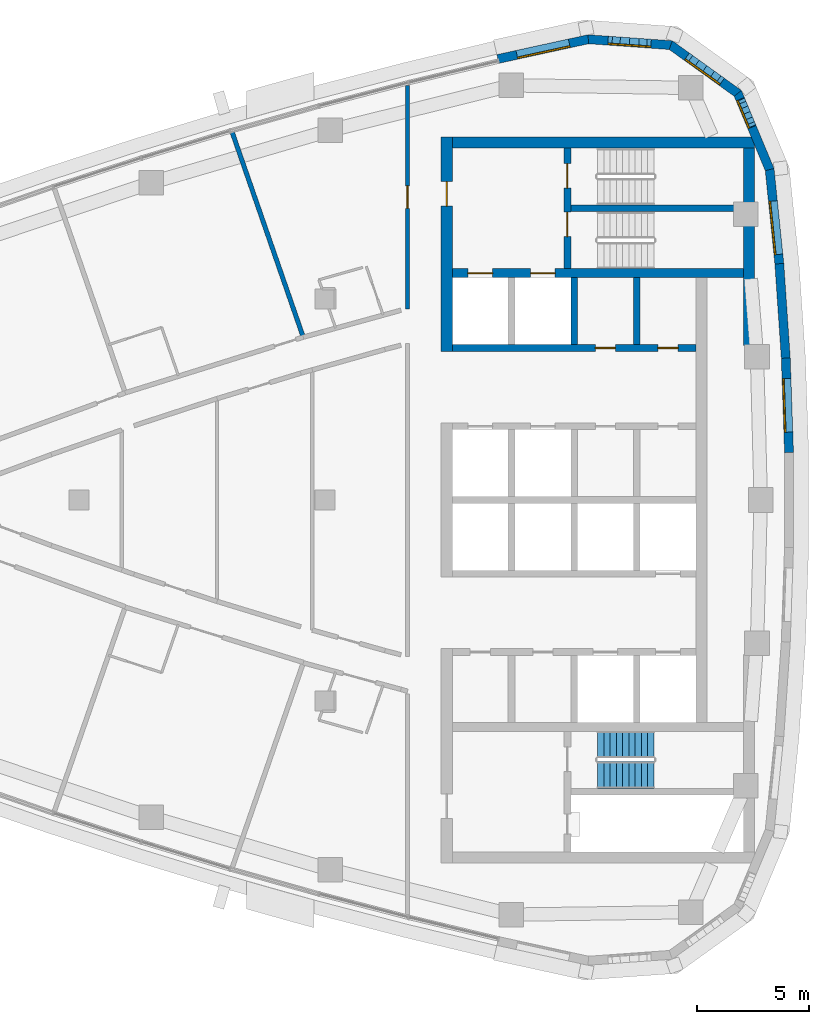
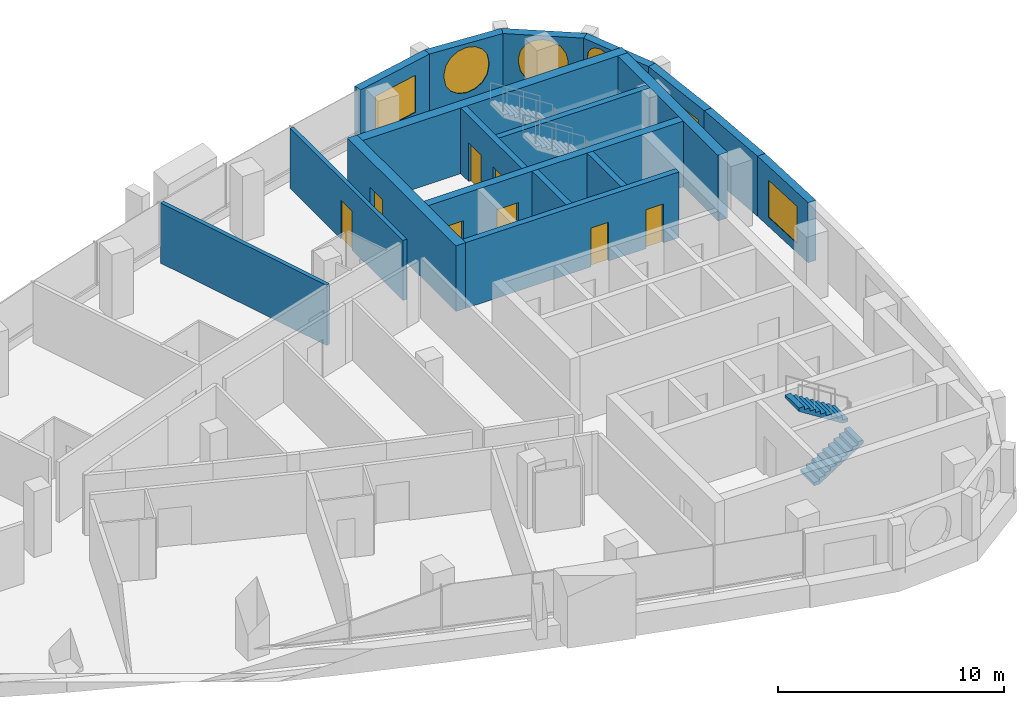
# One storey, part 10 of 15: 18 walls, 8 doors, 6 windows, 2 stair flights, 14 openings, 1 element without a shape of its own.
"""IFC4 building model written with IfcOpenShell, lengths in metres."""

from ifc_helpers import new_model, si_unit, direction, frame, frame_2d, origin, place, context, subcontext, project, spatial, polyline, rectangle, outline, extrude, material, layer, layer_set, type_object, element, fill, aggregate, save


model = new_model("IFC4")

# Units and contexts
model_context = context("Model", 3, precision=1e-05, world=origin(), true_north=direction((0.0, 1.0)))
body_context = subcontext(model_context, "Body", "Model", "MODEL_VIEW")
ifc_project = project(units=[si_unit("LENGTHUNIT", "METRE"), si_unit("AREAUNIT", "SQUARE_METRE"), si_unit("VOLUMEUNIT", "CUBIC_METRE"), si_unit("PLANEANGLEUNIT", "RADIAN"), si_unit("MASSUNIT", "GRAM", prefix="KILO")], contexts=[model_context])

# Site, building, storey
site_placement = place(None, origin())
site = spatial("IfcSite", under=ifc_project, at=site_placement, CompositionType="ELEMENT")
building_placement = place(site_placement, origin())
building = spatial("IfcBuilding", under=site, at=building_placement, Name="Ostrand Prow Hotel Tower", CompositionType="ELEMENT")
storey_placement = place(building_placement, frame((0.0, 0.0, 292.75)))
storey = spatial("IfcBuildingStorey", under=building, at=storey_placement, Name="L74", CompositionType="ELEMENT", Elevation=292.75)

# Wall, openings, doors
ifc_material_1 = material(Name="Concrete C50/60", Category="concrete")
ifc_layer_1 = layer(ifc_material_1, 0.300048828125)
ifc_layer_set_1 = layer_set([ifc_layer_1], Name="Concrete C50/60")
wall_type_1 = type_object("IfcWallType", Name="Core wall 300 C50/60", PredefinedType="SHEAR", material=ifc_layer_set_1)
wall_1_placement = place(storey_placement, frame((50.699951171875, 6.800048828125, 0.0), z_axis=(0.0, 0.0, 1.0), x_axis=(1.0, 0.0, 0.0)))
wall_1 = element("IfcWall", 1, at=wall_1_placement, inside=storey, type_object=wall_type_1, Name="Core wall PW-L2-N", PredefinedType="SHEAR", context=body_context, shape_type="SweptSolid", body=[
    extrude(rectangle(XDim=10.900146484375, YDim=0.300048828125, at=frame_2d((5.4501953125, 0.0))), origin(), (0.0, 0.0, 1.0), 3.550048828125),
])
opening_1_placement = place(wall_1_placement, frame((6.39990234375, 0.0, 0.0)))
opening_1 = element("IfcOpeningElement", 2, at=opening_1_placement, cuts=wall_1, Name="Opening FD2", PredefinedType="OPENING", context=body_context, shape_type="SweptSolid", body=[
    extrude(rectangle(XDim=0.89990234375, YDim=2.10009765625, at=frame_2d((0.449951171875, 1.050048828125))), frame((0.0, 0.159912109375, 0.0), z_axis=(0.0, -1.0, 0.0), x_axis=(1.0, 0.0, 0.0)), (0.0, 0.0, 1.0), 0.320068359375),
])
opening_2_placement = place(wall_1_placement, frame((9.199951171875, 0.0, 0.0)))
opening_2 = element("IfcOpeningElement", 3, at=opening_2_placement, cuts=wall_1, Name="Opening FD2", PredefinedType="OPENING", context=body_context, shape_type="SweptSolid", body=[
    extrude(rectangle(XDim=0.89990234375, YDim=2.10009765625, at=frame_2d((0.449951171875, 1.050048828125))), frame((0.0, 0.159912109375, 0.0), z_axis=(0.0, -1.0, 0.0), x_axis=(1.0, 0.0, 0.0)), (0.0, 0.0, 1.0), 0.320068359375),
])
ifc_material_2 = material(Name="Steel fire door", Category="steel")
door_type_1 = type_object("IfcDoorType", Name="Fire door 900 EI120", OperationType="SINGLE_SWING_LEFT", PredefinedType="DOOR", material=ifc_material_2)
door_1_placement = place(opening_1_placement, origin())
door_1 = element("IfcDoor", 4, at=door_1_placement, inside=storey, type_object=door_type_1, Name="DOOR", OperationType="SINGLE_SWING_LEFT", OverallHeight=2.10009765625, OverallWidth=0.89990234375, PredefinedType="DOOR", context=body_context, shape_type="SweptSolid", body=[
    extrude(rectangle(XDim=0.89990234375, YDim=2.10009765625, at=frame_2d((0.449951171875, 1.050048828125))), frame((0.0, 0.02490234375, 0.0), z_axis=(0.0, -1.0, 0.0), x_axis=(1.0, 0.0, 0.0)), (0.0, 0.0, 1.0), 0.050048828125),
])
fill(opening_1, door_1)
door_2_placement = place(opening_2_placement, origin())
door_2 = element("IfcDoor", 5, at=door_2_placement, inside=storey, type_object=door_type_1, Name="DOOR", OperationType="SINGLE_SWING_LEFT", OverallHeight=2.10009765625, OverallWidth=0.89990234375, PredefinedType="DOOR", context=body_context, shape_type="SweptSolid", body=[
    extrude(rectangle(XDim=0.89990234375, YDim=2.10009765625, at=frame_2d((0.449951171875, 1.050048828125))), frame((0.0, 0.02490234375, 0.0), z_axis=(0.0, -1.0, 0.0), x_axis=(1.0, 0.0, 0.0)), (0.0, 0.0, 1.0), 0.050048828125),
])
fill(opening_2, door_2)

# Walls
for number, where, z_axis, x_axis, name in (
    (6, (56.14990234375, 6.949951171875, 0.0), (0.0, 0.0, 1.0), (0.0, 1.0, 0.0), "Core wall PW-R2-NA"),
    (7, (58.949951171875, 6.949951171875, 0.0), (0.0, 0.0, 1.0), (0.0, 1.0, 0.0), "Core wall PW-R3-NA"),
):
    element("IfcWall", number, at=place(storey_placement, frame(where, z_axis=z_axis, x_axis=x_axis)), inside=storey, type_object=wall_type_1, Name=name, PredefinedType="SHEAR", context=body_context, shape_type="SweptSolid", body=[
        extrude(rectangle(XDim=3.0, YDim=0.300048828125, at=frame_2d((1.5, 0.0))), origin(), (0.0, 0.0, 1.0), 3.550048828125),
    ])

# Wall, openings, doors
wall_2_placement = place(storey_placement, frame((55.85009765625, 10.35009765625, 0.0), z_axis=(0.0, 0.0, 1.0), x_axis=(0.0, 1.0, 0.0)))
wall_2 = element("IfcWall", 8, at=wall_2_placement, inside=storey, type_object=wall_type_1, Name="Core wall PW-VN", PredefinedType="SHEAR", context=body_context, shape_type="SweptSolid", body=[
    extrude(rectangle(XDim=5.39990234375, YDim=0.300048828125, at=frame_2d((2.699951171875, 0.0))), origin(), (0.0, 0.0, 1.0), 3.550048828125),
])
opening_3_placement = place(wall_2_placement, frame((1.429931640625, 0.0, 0.0)))
opening_3 = element("IfcOpeningElement", 9, at=opening_3_placement, cuts=wall_2, Name="Opening FD1", PredefinedType="OPENING", context=body_context, shape_type="SweptSolid", body=[
    extrude(rectangle(XDim=1.10009765625, YDim=2.10009765625, at=frame_2d((0.550048828125, 1.050048828125))), frame((0.0, 0.159912109375, 0.0), z_axis=(0.0, -1.0, 0.0), x_axis=(1.0, 0.0, 0.0)), (0.0, 0.0, 1.0), 0.320068359375),
])
opening_4_placement = place(wall_2_placement, frame((3.60009765625, 0.0, 0.0)))
opening_4 = element("IfcOpeningElement", 10, at=opening_4_placement, cuts=wall_2, Name="Opening FD1", PredefinedType="OPENING", context=body_context, shape_type="SweptSolid", body=[
    extrude(rectangle(XDim=1.10009765625, YDim=2.10009765625, at=frame_2d((0.550048828125, 1.050048828125))), frame((0.0, 0.159912109375, 0.0), z_axis=(0.0, -1.0, 0.0), x_axis=(1.0, 0.0, 0.0)), (0.0, 0.0, 1.0), 0.320068359375),
])
ifc_material_3 = material(Name="Steel fire door", Category="steel")
door_type_2 = type_object("IfcDoorType", Name="Fire door 1100 EI120", OperationType="SINGLE_SWING_RIGHT", PredefinedType="DOOR", material=ifc_material_3)
door_3_placement = place(opening_3_placement, origin())
door_3 = element("IfcDoor", 11, at=door_3_placement, inside=storey, type_object=door_type_2, Name="FIRE DOOR", OperationType="SINGLE_SWING_RIGHT", OverallHeight=2.10009765625, OverallWidth=1.10009765625, PredefinedType="DOOR", context=body_context, shape_type="SweptSolid", body=[
    extrude(rectangle(XDim=1.10009765625, YDim=2.10009765625, at=frame_2d((0.550048828125, 1.050048828125))), frame((0.0, 0.02490234375, 0.0), z_axis=(0.0, -1.0, 0.0), x_axis=(1.0, 0.0, 0.0)), (0.0, 0.0, 1.0), 0.050048828125),
])
fill(opening_3, door_3)
door_4_placement = place(opening_4_placement, origin())
door_4 = element("IfcDoor", 12, at=door_4_placement, inside=storey, type_object=door_type_2, Name="FIRE DOOR", OperationType="SINGLE_SWING_RIGHT", OverallHeight=2.10009765625, OverallWidth=1.10009765625, PredefinedType="DOOR", context=body_context, shape_type="SweptSolid", body=[
    extrude(rectangle(XDim=1.10009765625, YDim=2.10009765625, at=frame_2d((0.550048828125, 1.050048828125))), frame((0.0, 0.02490234375, 0.0), z_axis=(0.0, -1.0, 0.0), x_axis=(1.0, 0.0, 0.0)), (0.0, 0.0, 1.0), 0.050048828125),
])
fill(opening_4, door_4)

# Wall
wall_3_placement = place(storey_placement, frame((56.0, 13.050048828125, 0.0), z_axis=(0.0, 0.0, 1.0), x_axis=(1.0, 0.0, 0.0)))
element("IfcWall", 13, at=wall_3_placement, inside=storey, type_object=wall_type_1, Name="Core wall PW-ST13", PredefinedType="SHEAR", context=body_context, shape_type="SweptSolid", body=[
    extrude(rectangle(XDim=7.719970703125, YDim=0.300048828125, at=frame_2d((3.85986328125, 0.0))), origin(), (0.0, 0.0, 1.0), 3.550048828125),
])

# Wall, openings, doors
ifc_material_4 = material(Name="Concrete C50/60", Category="concrete")
ifc_layer_2 = layer(ifc_material_4, 0.39990234375)
ifc_layer_set_2 = layer_set([ifc_layer_2], Name="Concrete C50/60")
wall_type_2 = type_object("IfcWallType", Name="Core wall 400 C50/60", PredefinedType="SHEAR", material=ifc_layer_set_2)
wall_4_placement = place(storey_placement, frame((50.699951171875, 10.14990234375, 0.0), z_axis=(0.0, 0.0, 1.0), x_axis=(1.0, 0.0, 0.0)))
wall_4 = element("IfcWall", 14, at=wall_4_placement, inside=storey, type_object=wall_type_2, Name="Core wall PW-BN", PredefinedType="SHEAR", context=body_context, shape_type="SweptSolid", body=[
    extrude(rectangle(XDim=13.02001953125, YDim=0.39990234375, at=frame_2d((6.510009765625, 0.0))), origin(), (0.0, 0.0, 1.0), 3.550048828125),
])
opening_5_placement = place(wall_4_placement, frame((0.699951171875, 0.0, 0.0)))
opening_5 = element("IfcOpeningElement", 15, at=opening_5_placement, cuts=wall_4, Name="Opening LD", PredefinedType="OPENING", context=body_context, shape_type="SweptSolid", body=[
    extrude(rectangle(XDim=1.10009765625, YDim=2.10009765625, at=frame_2d((0.550048828125, 1.050048828125))), frame((0.0, 0.2099609375, 0.0), z_axis=(0.0, -1.0, 0.0), x_axis=(1.0, 0.0, 0.0)), (0.0, 0.0, 1.0), 0.419921875),
])
opening_6_placement = place(wall_4_placement, frame((3.5, 0.0, 0.0)))
opening_6 = element("IfcOpeningElement", 16, at=opening_6_placement, cuts=wall_4, Name="Opening LD", PredefinedType="OPENING", context=body_context, shape_type="SweptSolid", body=[
    extrude(rectangle(XDim=1.10009765625, YDim=2.10009765625, at=frame_2d((0.550048828125, 1.050048828125))), frame((0.0, 0.2099609375, 0.0), z_axis=(0.0, -1.0, 0.0), x_axis=(1.0, 0.0, 0.0)), (0.0, 0.0, 1.0), 0.419921875),
])
ifc_material_5 = material(Name="Stainless steel door", Category="steel")
door_type_3 = type_object("IfcDoorType", Name="Lift landing door 1100", OperationType="DOUBLE_DOOR_SLIDING", PredefinedType="DOOR", material=ifc_material_5)
door_5_placement = place(opening_5_placement, origin())
door_5 = element("IfcDoor", 17, at=door_5_placement, inside=storey, type_object=door_type_3, Name="LIFT LANDING DOOR", OperationType="DOUBLE_DOOR_SLIDING", OverallHeight=2.10009765625, OverallWidth=1.10009765625, PredefinedType="DOOR", context=body_context, shape_type="SweptSolid", body=[
    extrude(rectangle(XDim=1.10009765625, YDim=2.10009765625, at=frame_2d((0.550048828125, 1.050048828125))), frame((0.0, 0.02490234375, 0.0), z_axis=(0.0, -1.0, 0.0), x_axis=(1.0, 0.0, 0.0)), (0.0, 0.0, 1.0), 0.050048828125),
])
fill(opening_5, door_5)
door_6_placement = place(opening_6_placement, origin())
door_6 = element("IfcDoor", 18, at=door_6_placement, inside=storey, type_object=door_type_3, Name="LIFT LANDING DOOR", OperationType="DOUBLE_DOOR_SLIDING", OverallHeight=2.10009765625, OverallWidth=1.10009765625, PredefinedType="DOOR", context=body_context, shape_type="SweptSolid", body=[
    extrude(rectangle(XDim=1.10009765625, YDim=2.10009765625, at=frame_2d((0.550048828125, 1.050048828125))), frame((0.0, 0.02490234375, 0.0), z_axis=(0.0, -1.0, 0.0), x_axis=(1.0, 0.0, 0.0)), (0.0, 0.0, 1.0), 0.050048828125),
])
fill(opening_6, door_6)

# Wall, opening, door
ifc_material_6 = material(Name="Concrete C50/60", Category="concrete")
ifc_layer_3 = layer(ifc_material_6, 0.5)
ifc_layer_set_3 = layer_set([ifc_layer_3], Name="Concrete C50/60")
wall_type_3 = type_object("IfcWallType", Name="Core wall 500 C50/60", PredefinedType="SHEAR", material=ifc_layer_set_3)
wall_5_placement = place(storey_placement, frame((50.449951171875, 6.64990234375, 0.0), z_axis=(0.0, 0.0, 1.0), x_axis=(0.0, 1.0, 0.0)))
wall_5 = element("IfcWall", 19, at=wall_5_placement, inside=storey, type_object=wall_type_3, Name="Core wall CW-W-N", PredefinedType="SHEAR", context=body_context, shape_type="SweptSolid", body=[
    extrude(rectangle(XDim=9.60009765625, YDim=0.5, at=frame_2d((4.800048828125, 0.0))), origin(), (0.0, 0.0, 1.0), 3.550048828125),
])
opening_7_placement = place(wall_5_placement, frame((6.5, 0.0, 0.0)))
opening_7 = element("IfcOpeningElement", 20, at=opening_7_placement, cuts=wall_5, Name="Opening FD1", PredefinedType="OPENING", context=body_context, shape_type="SweptSolid", body=[
    extrude(rectangle(XDim=1.10009765625, YDim=2.10009765625, at=frame_2d((0.550048828125, 1.050048828125))), frame((0.0, 0.260009765625, 0.0), z_axis=(0.0, -1.0, 0.0), x_axis=(1.0, 0.0, 0.0)), (0.0, 0.0, 1.0), 0.52001953125),
])
door_7_placement = place(opening_7_placement, origin())
door_7 = element("IfcDoor", 21, at=door_7_placement, inside=storey, type_object=door_type_2, Name="FIRE DOOR", OperationType="SINGLE_SWING_RIGHT", OverallHeight=2.10009765625, OverallWidth=1.10009765625, PredefinedType="DOOR", context=body_context, shape_type="SweptSolid", body=[
    extrude(rectangle(XDim=1.10009765625, YDim=2.10009765625, at=frame_2d((0.550048828125, 1.050048828125))), frame((0.0, 0.02490234375, 0.0), z_axis=(0.0, -1.0, 0.0), x_axis=(1.0, 0.0, 0.0)), (0.0, 0.0, 1.0), 0.050048828125),
])
fill(opening_7, door_7)

# Walls
wall_6_placement = place(storey_placement, frame((50.699951171875, 16.0, 0.0), z_axis=(0.0, 0.0, 1.0), x_axis=(1.0, 0.0, 0.0)))
element("IfcWall", 22, at=wall_6_placement, inside=storey, type_object=wall_type_3, Name="Core wall CW-N", PredefinedType="SHEAR", context=body_context, shape_type="SweptSolid", body=[
    extrude(rectangle(XDim=13.52001953125, YDim=0.5, at=frame_2d((6.760009765625, 0.0))), origin(), (0.0, 0.0, 1.0), 3.550048828125),
])
wall_7_placement = place(storey_placement, frame((63.969970703125, 6.9033203125, 0.0), z_axis=(0.0, 0.0, 1.0), x_axis=(0.0, 1.0, 0.0)))
element("IfcWall", 23, at=wall_7_placement, inside=storey, type_object=wall_type_3, Name="Core wall CW-E-N", PredefinedType="SHEAR", context=body_context, shape_type="SweptSolid", body=[
    extrude(rectangle(XDim=8.8466796875, YDim=0.5, at=frame_2d((4.42333984375, 0.0))), origin(), (0.0, 0.0, 1.0), 3.550048828125),
])

# Wall, opening, door
ifc_material_7 = material(Name="Plasterboard partition")
ifc_layer_4 = layer(ifc_material_7, 0.199951171875)
ifc_layer_set_4 = layer_set([ifc_layer_4], Name="Plasterboard partition")
wall_type_4 = type_object("IfcWallType", Name="Partition 200 corridor wall", PredefinedType="PARTITIONING", material=ifc_layer_set_4)
wall_8_placement = place(storey_placement, frame((48.695068359375, 18.552978515625, 0.0), z_axis=(0.0, 0.0, 1.0), x_axis=(0.0, -1.0, 0.0)))
wall_8 = element("IfcWall", 24, at=wall_8_placement, inside=storey, type_object=wall_type_4, Name="CORRIDOR WALL", PredefinedType="PARTITIONING", context=body_context, shape_type="SweptSolid", body=[
    extrude(rectangle(XDim=9.99658203125, YDim=0.199951171875, at=frame_2d((4.998291015625, 0.0))), origin(), (0.0, 0.0, 1.0), 3.25),
])
opening_8_placement = place(wall_8_placement, frame((4.5, 0.0, 0.0)))
opening_8 = element("IfcOpeningElement", 25, at=opening_8_placement, cuts=wall_8, Name="Opening D1R", PredefinedType="OPENING", context=body_context, shape_type="SweptSolid", body=[
    extrude(rectangle(XDim=1.0, YDim=2.10009765625, at=frame_2d((0.5, 1.050048828125))), frame((0.0, 0.10986328125, 0.0), z_axis=(0.0, -1.0, 0.0), x_axis=(1.0, 0.0, 0.0)), (0.0, 0.0, 1.0), 0.219970703125),
])
ifc_material_8 = material(Name="Timber door leaf", Category="wood")
door_type_4 = type_object("IfcDoorType", Name="Guest room door 1000 right", OperationType="SINGLE_SWING_RIGHT", PredefinedType="DOOR", material=ifc_material_8)
door_8_placement = place(opening_8_placement, origin())
door_8 = element("IfcDoor", 26, at=door_8_placement, inside=storey, type_object=door_type_4, Name="DOOR", OperationType="SINGLE_SWING_RIGHT", OverallHeight=2.10009765625, OverallWidth=1.0, PredefinedType="DOOR", context=body_context, shape_type="SweptSolid", body=[
    extrude(rectangle(XDim=1.0, YDim=2.10009765625, at=frame_2d((0.5, 1.050048828125))), frame((0.0, 0.02490234375, 0.0), z_axis=(0.0, -1.0, 0.0), x_axis=(1.0, 0.0, 0.0)), (0.0, 0.0, 1.0), 0.050048828125),
])
fill(opening_8, door_8)

# Wall
ifc_material_9 = material(Name="Plasterboard partition")
ifc_layer_5 = layer(ifc_material_9, 0.199951171875)
ifc_layer_set_5 = layer_set([ifc_layer_5], Name="Plasterboard partition")
wall_type_5 = type_object("IfcWallType", Name="Partition 200 key partition", PredefinedType="PARTITIONING", material=ifc_layer_set_5)
wall_9_placement = place(storey_placement, frame((44.037841796875, 7.266845703125, 0.0), z_axis=(0.0, 0.0, 1.0), x_axis=(-0.327714576096, 0.944776776077, 0.0)))
element("IfcWall", 27, at=wall_9_placement, inside=storey, type_object=wall_type_5, Name="KEY PARTITION", PredefinedType="PARTITIONING", context=body_context, shape_type="SweptSolid", body=[
    extrude(rectangle(XDim=9.716796875, YDim=0.199951171875, at=frame_2d((4.8583984375, 0.0))), origin(), (0.0, 0.0, 1.0), 3.25),
])

# Wall, opening, window
ifc_material_10 = material(Name="Precast concrete C40/50", Category="concrete")
ifc_layer_6 = layer(ifc_material_10, 0.39990234375)
ifc_layer_set_6 = layer_set([ifc_layer_6], Name="Precast concrete C40/50")
wall_type_6 = type_object("IfcWallType", Name="Stone-faced precast wall 400 mm", PredefinedType="NOTDEFINED", material=ifc_layer_set_6)
wall_10_placement = place(storey_placement, frame((65.764404296875, 2.11669921875, 0.0), z_axis=(0.0, 0.0, 1.0), x_axis=(-0.034082898699, 0.999419009233, 0.0)))
wall_10 = element("IfcWall", 28, at=wall_10_placement, inside=storey, type_object=wall_type_6, Name="Stone-faced wall back 9", PredefinedType="NOTDEFINED", context=body_context, shape_type="SweptSolid", body=[
    extrude(outline(polyline([(-0.00341796875, -0.199951171875), (4.23681640625, -0.199951171875), (4.22998046875, 0.199951171875), (0.00341796875, 0.199951171875), (-0.00341796875, -0.199951171875)])), origin(), (0.0, 0.0, 1.0), 3.25),
])
opening_9_placement = place(wall_10_placement, frame((0.916748046875, 0.0, 0.5)))
opening_9 = element("IfcOpeningElement", 29, at=opening_9_placement, cuts=wall_10, Name="Opening WA1", PredefinedType="OPENING", context=body_context, shape_type="SweptSolid", body=[
    extrude(rectangle(XDim=2.39990234375, YDim=2.0, at=frame_2d((1.199951171875, 1.0))), frame((0.0, 0.2099609375, 0.0), z_axis=(0.0, -1.0, 0.0), x_axis=(1.0, 0.0, 0.0)), (0.0, 0.0, 1.0), 0.419921875),
])
ifc_material_11 = material(Name="Insulated glass in bronze frame", Category="glass")
window_type_1 = type_object("IfcWindowType", Name="Amenity picture window 2400x2000", PartitioningType="SINGLE_PANEL", PredefinedType="WINDOW", material=ifc_material_11)
window_1_placement = place(opening_9_placement, origin())
window_1 = element("IfcWindow", 30, at=window_1_placement, inside=storey, type_object=window_type_1, Name="Window back 9.1", OverallHeight=2.0, OverallWidth=2.39990234375, PartitioningType="SINGLE_PANEL", PredefinedType="WINDOW", context=body_context, shape_type="SweptSolid", body=[
    extrude(rectangle(XDim=2.39990234375, YDim=2.0, at=frame_2d((1.199951171875, 1.0))), frame((0.0, 0.169921875, 0.0), z_axis=(0.0, -1.0, 0.0), x_axis=(1.0, 0.0, 0.0)), (0.0, 0.0, 1.0), 0.06005859375),
])
fill(opening_9, window_1)

# Wall
wall_11_placement = place(storey_placement, frame((65.6201171875, 6.34765625, 0.0), z_axis=(0.0, 0.0, 1.0), x_axis=(-0.068279584479, 0.997666225921, 0.0)))
element("IfcWall", 31, at=wall_11_placement, inside=storey, type_object=wall_type_6, Name="Stone-faced wall back 10", PredefinedType="NOTDEFINED", context=body_context, shape_type="SweptSolid", body=[
    extrude(outline(polyline([(-0.00341796875, -0.199951171875), (4.23681640625, -0.199951171875), (4.22998046875, 0.199951171875), (0.00341796875, 0.199951171875), (-0.00341796875, -0.199951171875)])), origin(), (0.0, 0.0, 1.0), 3.25),
])

# Wall, opening, window
wall_12_placement = place(storey_placement, frame((65.3310546875, 10.5712890625, 0.0), z_axis=(0.0, 0.0, 1.0), x_axis=(-0.102249826987, 0.994758751096, 0.0)))
wall_12 = element("IfcWall", 32, at=wall_12_placement, inside=storey, type_object=wall_type_6, Name="Stone-faced wall back 11", PredefinedType="NOTDEFINED", context=body_context, shape_type="SweptSolid", body=[
    extrude(outline(polyline([(-0.00341796875, -0.199951171875), (4.262939453125, -0.199951171875), (4.203857421875, 0.199951171875), (0.00341796875, 0.199951171875), (-0.00341796875, -0.199951171875)])), origin(), (0.0, 0.0, 1.0), 3.25),
])
opening_10_placement = place(wall_12_placement, frame((0.416748046875, 0.0, 0.5)))
opening_10 = element("IfcOpeningElement", 33, at=opening_10_placement, cuts=wall_12, Name="Opening WA1", PredefinedType="OPENING", context=body_context, shape_type="SweptSolid", body=[
    extrude(rectangle(XDim=2.39990234375, YDim=2.0, at=frame_2d((1.199951171875, 1.0))), frame((0.0, 0.2099609375, 0.0), z_axis=(0.0, -1.0, 0.0), x_axis=(1.0, 0.0, 0.0)), (0.0, 0.0, 1.0), 0.419921875),
])
window_2_placement = place(opening_10_placement, origin())
window_2 = element("IfcWindow", 34, at=window_2_placement, inside=storey, type_object=window_type_1, Name="Window back 11.1", OverallHeight=2.0, OverallWidth=2.39990234375, PartitioningType="SINGLE_PANEL", PredefinedType="WINDOW", context=body_context, shape_type="SweptSolid", body=[
    extrude(rectangle(XDim=2.39990234375, YDim=2.0, at=frame_2d((1.199951171875, 1.0))), frame((0.0, 0.169921875, 0.0), z_axis=(0.0, -1.0, 0.0), x_axis=(1.0, 0.0, 0.0)), (0.0, 0.0, 1.0), 0.06005859375),
])
fill(opening_10, window_2)

wall_13_placement = place(storey_placement, frame((64.898193359375, 14.782470703125, 0.0), z_axis=(0.0, 0.0, 1.0), x_axis=(-0.385285857918, 0.922797273343, 0.0)))
wall_13 = element("IfcWall", 35, at=wall_13_placement, inside=storey, type_object=wall_type_6, Name="Stone-faced wall back 12", PredefinedType="NOTDEFINED", context=body_context, shape_type="SweptSolid", body=[
    extrude(outline(polyline([(-0.029541015625, -0.199951171875), (3.75341796875, -0.199951171875), (3.64013671875, 0.199951171875), (0.029541015625, 0.199951171875), (-0.029541015625, -0.199951171875)])), origin(), (0.0, 0.0, 1.0), 3.25),
])
opening_11_placement = place(wall_13_placement, frame((2.035400390625, 0.0, 0.60009765625)))
opening_11 = element("IfcOpeningElement", 36, at=opening_11_placement, cuts=wall_13, Name="Opening WP2-14", PredefinedType="OPENING", context=body_context, shape_type="SweptSolid", body=[
    extrude(outline(polyline([(0.0, 1.75), (0.05322265625, 2.017822265625), (0.205078125, 2.244873046875), (0.43212890625, 2.396728515625), (0.699951171875, 2.449951171875), (0.9677734375, 2.396728515625), (1.19482421875, 2.244873046875), (1.3466796875, 2.017822265625), (1.39990234375, 1.75), (1.39990234375, 0.699951171875), (1.3466796875, 0.43212890625), (1.19482421875, 0.205078125), (0.9677734375, 0.05322265625), (0.699951171875, 0.0), (0.43212890625, 0.05322265625), (0.205078125, 0.205078125), (0.05322265625, 0.43212890625), (0.0, 0.699951171875), (0.0, 1.75)])), frame((0.0, 0.2099609375, 0.0), z_axis=(0.0, -1.0, 0.0), x_axis=(1.0, 0.0, 0.0)), (0.0, 0.0, 1.0), 0.419921875),
])
ifc_material_12 = material(Name="Insulated glass in bronze frame", Category="glass")
window_type_2 = type_object("IfcWindowType", Name="Round-ended prow lounge window 1400x2450", PartitioningType="SINGLE_PANEL", PredefinedType="WINDOW", material=ifc_material_12)
window_3_placement = place(opening_11_placement, origin())
window_3 = element("IfcWindow", 37, at=window_3_placement, inside=storey, type_object=window_type_2, Name="Window back 12.1", OverallHeight=2.449951171875, OverallWidth=1.39990234375, PartitioningType="SINGLE_PANEL", PredefinedType="WINDOW", context=body_context, shape_type="SweptSolid", body=[
    extrude(outline(polyline([(0.0, 1.75), (0.05322265625, 2.017822265625), (0.205078125, 2.244873046875), (0.43212890625, 2.396728515625), (0.699951171875, 2.449951171875), (0.9677734375, 2.396728515625), (1.19482421875, 2.244873046875), (1.3466796875, 2.017822265625), (1.39990234375, 1.75), (1.39990234375, 0.699951171875), (1.3466796875, 0.43212890625), (1.19482421875, 0.205078125), (0.9677734375, 0.05322265625), (0.699951171875, 0.0), (0.43212890625, 0.05322265625), (0.205078125, 0.205078125), (0.05322265625, 0.43212890625), (0.0, 0.699951171875), (0.0, 1.75)])), frame((0.0, 0.169921875, 0.0), z_axis=(0.0, -1.0, 0.0), x_axis=(1.0, 0.0, 0.0)), (0.0, 0.0, 1.0), 0.06005859375),
])
fill(opening_11, window_3)

wall_14_placement = place(storey_placement, frame((63.473876953125, 18.19384765625, 0.0), z_axis=(0.0, 0.0, 1.0), x_axis=(-0.811962548682, 0.583709533533, 0.0)))
wall_14 = element("IfcWall", 38, at=wall_14_placement, inside=storey, type_object=wall_type_6, Name="Stone-faced wall back 13", PredefinedType="NOTDEFINED", context=body_context, shape_type="SweptSolid", body=[
    extrude(outline(polyline([(-0.056640625, -0.199951171875), (3.753173828125, -0.199951171875), (3.639892578125, 0.199951171875), (0.056640625, 0.199951171875), (-0.056640625, -0.199951171875)])), origin(), (0.0, 0.0, 1.0), 3.25),
])
opening_12_placement = place(wall_14_placement, frame((0.748291015625, 0.0, 0.60009765625)))
opening_12 = element("IfcOpeningElement", 39, at=opening_12_placement, cuts=wall_14, Name="Opening WP2", PredefinedType="OPENING", context=body_context, shape_type="SweptSolid", body=[
    extrude(outline(polyline([(0.0, 1.35009765625), (0.083740234375, 1.77099609375), (0.322265625, 2.127685546875), (0.678955078125, 2.3662109375), (1.10009765625, 2.449951171875), (1.52099609375, 2.3662109375), (1.877685546875, 2.127685546875), (2.1162109375, 1.77099609375), (2.199951171875, 1.35009765625), (2.199951171875, 1.10009765625), (2.1162109375, 0.678955078125), (1.877685546875, 0.322265625), (1.52099609375, 0.083740234375), (1.10009765625, 0.0), (0.678955078125, 0.083740234375), (0.322265625, 0.322265625), (0.083740234375, 0.678955078125), (0.0, 1.099853515625), (0.0, 1.35009765625)])), frame((0.0, 0.2099609375, 0.0), z_axis=(0.0, -1.0, 0.0), x_axis=(1.0, 0.0, 0.0)), (0.0, 0.0, 1.0), 0.419921875),
])
ifc_material_13 = material(Name="Insulated glass in bronze frame", Category="glass")
window_type_3 = type_object("IfcWindowType", Name="Round-ended prow lounge window 2200x2450", PartitioningType="SINGLE_PANEL", PredefinedType="WINDOW", material=ifc_material_13)
window_4_placement = place(opening_12_placement, origin())
window_4 = element("IfcWindow", 40, at=window_4_placement, inside=storey, type_object=window_type_3, Name="Window back 13.1", OverallHeight=2.449951171875, OverallWidth=2.199951171875, PartitioningType="SINGLE_PANEL", PredefinedType="WINDOW", context=body_context, shape_type="SweptSolid", body=[
    extrude(outline(polyline([(0.0, 1.35009765625), (0.083740234375, 1.77099609375), (0.322265625, 2.127685546875), (0.678955078125, 2.3662109375), (1.10009765625, 2.449951171875), (1.52099609375, 2.3662109375), (1.877685546875, 2.127685546875), (2.1162109375, 1.77099609375), (2.199951171875, 1.35009765625), (2.199951171875, 1.10009765625), (2.1162109375, 0.678955078125), (1.877685546875, 0.322265625), (1.52099609375, 0.083740234375), (1.10009765625, 0.0), (0.678955078125, 0.083740234375), (0.322265625, 0.322265625), (0.083740234375, 0.678955078125), (0.0, 1.099853515625), (0.0, 1.35009765625)])), frame((0.0, 0.169921875, 0.0), z_axis=(0.0, -1.0, 0.0), x_axis=(1.0, 0.0, 0.0)), (0.0, 0.0, 1.0), 0.06005859375),
])
fill(opening_12, window_4)

wall_15_placement = place(storey_placement, frame((60.472412109375, 20.3515625, 0.0), z_axis=(0.0, 0.0, 1.0), x_axis=(-0.99746272096, 0.071190731806, 0.0)))
wall_15 = element("IfcWall", 41, at=wall_15_placement, inside=storey, type_object=wall_type_6, Name="Stone-faced wall back 14", PredefinedType="NOTDEFINED", context=body_context, shape_type="SweptSolid", body=[
    extrude(outline(polyline([(-0.056640625, -0.199951171875), (3.7255859375, -0.199951171875), (3.66796875, 0.199951171875), (0.056640625, 0.199951171875), (-0.056640625, -0.199951171875)])), origin(), (0.0, 0.0, 1.0), 3.25),
])
opening_13_placement = place(wall_15_placement, frame((0.748291015625, 0.0, 0.60009765625)))
opening_13 = element("IfcOpeningElement", 42, at=opening_13_placement, cuts=wall_15, Name="Opening WP2", PredefinedType="OPENING", context=body_context, shape_type="SweptSolid", body=[
    extrude(outline(polyline([(0.0, 1.35009765625), (0.083740234375, 1.77099609375), (0.322265625, 2.127685546875), (0.678955078125, 2.3662109375), (1.10009765625, 2.449951171875), (1.52099609375, 2.3662109375), (1.877685546875, 2.127685546875), (2.1162109375, 1.77099609375), (2.199951171875, 1.35009765625), (2.199951171875, 1.10009765625), (2.1162109375, 0.678955078125), (1.877685546875, 0.322265625), (1.52099609375, 0.083740234375), (1.10009765625, 0.0), (0.678955078125, 0.083740234375), (0.322265625, 0.322265625), (0.083740234375, 0.678955078125), (0.0, 1.099853515625), (0.0, 1.35009765625)])), frame((0.0, 0.2099609375, 0.0), z_axis=(0.0, -1.0, 0.0), x_axis=(1.0, 0.0, 0.0)), (0.0, 0.0, 1.0), 0.419921875),
])
window_5_placement = place(opening_13_placement, origin())
window_5 = element("IfcWindow", 43, at=window_5_placement, inside=storey, type_object=window_type_3, Name="Window back 14.1", OverallHeight=2.449951171875, OverallWidth=2.199951171875, PartitioningType="SINGLE_PANEL", PredefinedType="WINDOW", context=body_context, shape_type="SweptSolid", body=[
    extrude(outline(polyline([(0.0, 1.35009765625), (0.083740234375, 1.77099609375), (0.322265625, 2.127685546875), (0.678955078125, 2.3662109375), (1.10009765625, 2.449951171875), (1.52099609375, 2.3662109375), (1.877685546875, 2.127685546875), (2.1162109375, 1.77099609375), (2.199951171875, 1.35009765625), (2.199951171875, 1.10009765625), (2.1162109375, 0.678955078125), (1.877685546875, 0.322265625), (1.52099609375, 0.083740234375), (1.10009765625, 0.0), (0.678955078125, 0.083740234375), (0.322265625, 0.322265625), (0.083740234375, 0.678955078125), (0.0, 1.099853515625), (0.0, 1.35009765625)])), frame((0.0, 0.169921875, 0.0), z_axis=(0.0, -1.0, 0.0), x_axis=(1.0, 0.0, 0.0)), (0.0, 0.0, 1.0), 0.06005859375),
])
fill(opening_13, window_5)

wall_16_placement = place(storey_placement, frame((56.784912109375, 20.61474609375, 0.0), z_axis=(0.0, 0.0, 1.0), x_axis=(-0.977020225348, -0.213146614471, 0.0)))
wall_16 = element("IfcWall", 44, at=wall_16_placement, inside=storey, type_object=wall_type_6, Name="Stone-faced wall back 15", PredefinedType="NOTDEFINED", context=body_context, shape_type="SweptSolid", body=[
    extrude(outline(polyline([(-0.02880859375, -0.199951171875), (4.141845703125, -0.199951171875), (4.141845703125, 0.199951171875), (0.02880859375, 0.199951171875), (-0.02880859375, -0.199951171875)])), origin(), (0.0, 0.0, 1.0), 3.25),
])
opening_14_placement = place(wall_16_placement, frame((0.870849609375, 0.0, 0.5)))
opening_14 = element("IfcOpeningElement", 45, at=opening_14_placement, cuts=wall_16, Name="Opening WA1", PredefinedType="OPENING", context=body_context, shape_type="SweptSolid", body=[
    extrude(rectangle(XDim=2.39990234375, YDim=2.0, at=frame_2d((1.199951171875, 1.0))), frame((0.0, 0.2099609375, 0.0), z_axis=(0.0, -1.0, 0.0), x_axis=(1.0, 0.0, 0.0)), (0.0, 0.0, 1.0), 0.419921875),
])
window_6_placement = place(opening_14_placement, origin())
window_6 = element("IfcWindow", 46, at=window_6_placement, inside=storey, type_object=window_type_1, Name="Window back 15.1", OverallHeight=2.0, OverallWidth=2.39990234375, PartitioningType="SINGLE_PANEL", PredefinedType="WINDOW", context=body_context, shape_type="SweptSolid", body=[
    extrude(rectangle(XDim=2.39990234375, YDim=2.0, at=frame_2d((1.199951171875, 1.0))), frame((0.0, 0.169921875, 0.0), z_axis=(0.0, -1.0, 0.0), x_axis=(1.0, 0.0, 0.0)), (0.0, 0.0, 1.0), 0.06005859375),
])
fill(opening_14, window_6)

# Stair, stair flights
ifc_material_14 = material(Name="Concrete C40/50", Category="concrete")
stair_type = type_object("IfcStairType", Name="Exit stair 1200 upper zone", PredefinedType="HALF_TURN_STAIR", material=ifc_material_14)
stair_placement = place(storey_placement, origin())
stair = element("IfcStair", 47, at=stair_placement, inside=storey, type_object=stair_type, Name="L74 ST2C", PredefinedType="HALF_TURN_STAIR")
ifc_material_15 = material(Name="Concrete C40/50", Category="concrete")
stair_flight_type = type_object("IfcStairFlightType", Name="Stair flight 1200 concrete", PredefinedType="STRAIGHT", material=ifc_material_15)
stair_flight_1_placement = place(storey_placement, frame((57.199951171875, -12.300048828125, 0.0), z_axis=(0.0, 0.0, 1.0), x_axis=(1.0, 0.0, 0.0)))
stair_flight_1 = element("IfcStairFlight", 48, at=stair_flight_1_placement, type_object=stair_flight_type, Name="ST2C flight 1", NumberOfRisers=10, NumberOfTreads=9, PredefinedType="STRAIGHT", RiserHeight=0.1775, TreadLength=0.28, context=body_context, shape_type="SweptSolid", body=[
    extrude(outline(polyline([(0.0, 0.0), (0.0, 0.177490234375), (0.280029296875, 0.177490234375), (0.280029296875, 0.35498046875), (0.56005859375, 0.35498046875), (0.56005859375, 0.532470703125), (0.840087890625, 0.532470703125), (0.840087890625, 0.7099609375), (1.1201171875, 0.7099609375), (1.1201171875, 0.887451171875), (1.39990234375, 0.887451171875), (1.39990234375, 1.06494140625), (1.679931640625, 1.06494140625), (1.679931640625, 1.242431640625), (1.9599609375, 1.242431640625), (1.9599609375, 1.419921875), (2.239990234375, 1.419921875), (2.239990234375, 1.597412109375), (2.52001953125, 1.597412109375), (2.52001953125, 1.77490234375), (2.52001953125, 1.419921875), (0.280029296875, 0.0), (0.0, 0.0)])), frame((0.0, 0.60009765625, 0.0), z_axis=(0.0, -1.0, 0.0), x_axis=(1.0, 0.0, 0.0)), (0.0, 0.0, 1.0), 1.199951171875),
])
stair_flight_2_placement = place(storey_placement, frame((59.719970703125, -10.949951171875, 1.77490234375), z_axis=(0.0, 0.0, 1.0), x_axis=(-1.0, 0.0, 0.0)))
stair_flight_2 = element("IfcStairFlight", 49, at=stair_flight_2_placement, type_object=stair_flight_type, Name="ST2C flight 2", NumberOfRisers=10, NumberOfTreads=9, PredefinedType="STRAIGHT", RiserHeight=0.1775, TreadLength=0.28, context=body_context, shape_type="SweptSolid", body=[
    extrude(outline(polyline([(0.0, 0.0), (0.0, 0.177490234375), (0.280029296875, 0.177490234375), (0.280029296875, 0.35498046875), (0.56005859375, 0.35498046875), (0.56005859375, 0.532470703125), (0.840087890625, 0.532470703125), (0.840087890625, 0.7099609375), (1.1201171875, 0.7099609375), (1.1201171875, 0.887451171875), (1.39990234375, 0.887451171875), (1.39990234375, 1.06494140625), (1.679931640625, 1.06494140625), (1.679931640625, 1.242431640625), (1.9599609375, 1.242431640625), (1.9599609375, 1.419921875), (2.239990234375, 1.419921875), (2.239990234375, 1.597412109375), (2.52001953125, 1.597412109375), (2.52001953125, 1.77490234375), (2.52001953125, 1.419921875), (0.280029296875, 0.0), (0.0, 0.0)])), frame((0.0, 0.60009765625, 0.0), z_axis=(0.0, -1.0, 0.0), x_axis=(1.0, 0.0, 0.0)), (0.0, 0.0, 1.0), 1.199951171875),
])
aggregate(stair, [stair_flight_1, stair_flight_2])

save(model, "model.ifc")
